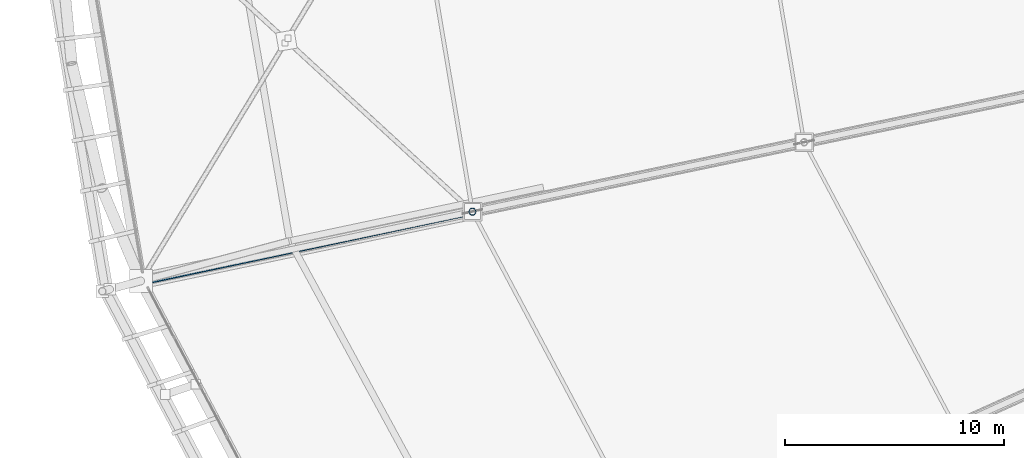
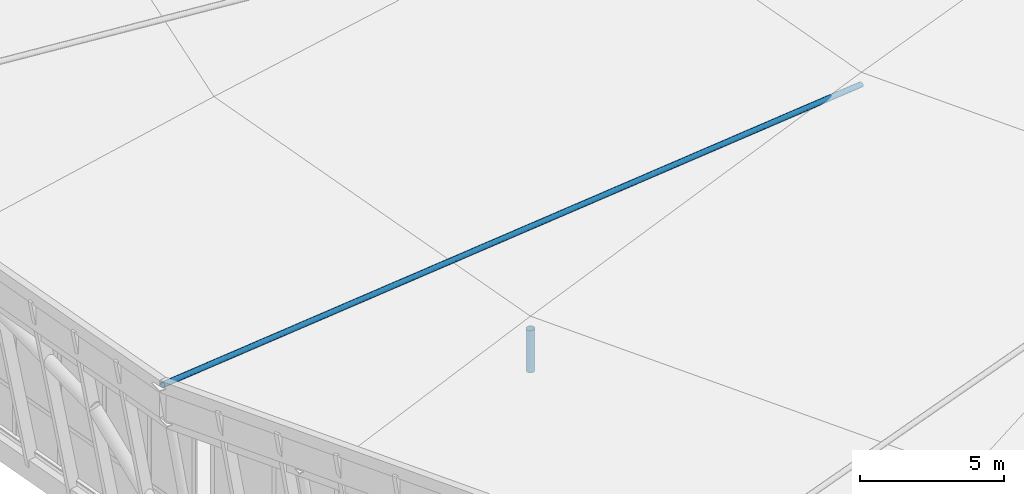
# One storey, part 8 of 115: 2 members.
"""IFC4 building model written with IfcOpenShell, lengths in metres."""

from ifc_helpers import new_model, si_unit, direction, frame, origin, origin_2d, place, context, subcontext, project, spatial, hollow_circle, extrude, material, material_profile, profile_set, type_object, element, save


model = new_model("IFC4")

# Units and contexts
model_context = context("Model", 3, precision=1e-05, world=origin(), true_north=direction((0.0, 1.0)))
body_context = subcontext(model_context, "Body", "Model", "MODEL_VIEW")
ifc_project = project(units=[si_unit("LENGTHUNIT", "METRE"), si_unit("AREAUNIT", "SQUARE_METRE"), si_unit("VOLUMEUNIT", "CUBIC_METRE"), si_unit("PLANEANGLEUNIT", "RADIAN"), si_unit("MASSUNIT", "GRAM", prefix="KILO")], contexts=[model_context])

# Site, building, storey
site_placement = place(None, origin())
site = spatial("IfcSite", under=ifc_project, at=site_placement, CompositionType="ELEMENT")
building_placement = place(site_placement, origin())
building = spatial("IfcBuilding", under=site, at=building_placement, Name="Zlatoyarsky Gate Stadium", CompositionType="ELEMENT")
storey_placement = place(building_placement, frame((0.0, 0.0, 31.800048828125)))
storey = spatial("IfcBuildingStorey", under=building, at=storey_placement, Name="RF", CompositionType="ELEMENT", Elevation=31.800048828125)

# Members
ifc_material = material(Name="Steel S355", Category="steel")
ifc_material_profile_1 = material_profile(ifc_material, hollow_circle(Radius=0.109619140625, WallThickness=0.012451171875, at=origin_2d()), Name="CHS 219.1X12.5")
ifc_profile_set_1 = profile_set([ifc_material_profile_1], Name="Steel S355")
member_type_1 = type_object("IfcMemberType", Name="STEEL CANOPY WIND BRACE CHS 219.1X12.5", PredefinedType="BRACE", material=ifc_profile_set_1)
member_1_placement = place(storey_placement, frame((12.626220703125, 59.334716796875, 8.849853515625), z_axis=(0.975244889399, 0.20700257425, -0.077764644634), x_axis=(-0.207631334908, 0.978207150232, 0.0)))
element("IfcMember", 1, at=member_1_placement, inside=storey, type_object=member_type_1, Name="Crown fascia tie brace 13", PredefinedType="BRACE", context=body_context, shape_type="SweptSolid", body=[
    extrude(hollow_circle(Radius=0.109619140625, WallThickness=0.012451171875, at=origin_2d()), origin(), (0.0, 0.0, 1.0), 32.788818359375),
])
ifc_material_profile_2 = material_profile(ifc_material, hollow_circle(Radius=0.161865234375, WallThickness=0.01611328125, at=origin_2d()), Name="CHS 323.9X16")
ifc_profile_set_2 = profile_set([ifc_material_profile_2], Name="Steel S355")
member_type_2 = type_object("IfcMemberType", Name="STEEL TRUSS WEB STRUT CHS 323.9X16", PredefinedType="STRUT", material=ifc_profile_set_2)
member_2_placement = place(storey_placement, frame((29.491943359375, 62.96337890625, 1.349853515625), z_axis=(0.0, 0.0, 1.0), x_axis=(1.0, 0.0, 0.0)))
element("IfcMember", 2, at=member_2_placement, inside=storey, type_object=member_type_2, Name="Radial truss R14 web strut 1", PredefinedType="STRUT", context=body_context, shape_type="SweptSolid", body=[
    extrude(hollow_circle(Radius=0.161865234375, WallThickness=0.01611328125, at=origin_2d()), origin(), (0.0, 0.0, 1.0), 1.800048828125),
])

save(model, "model.ifc")
